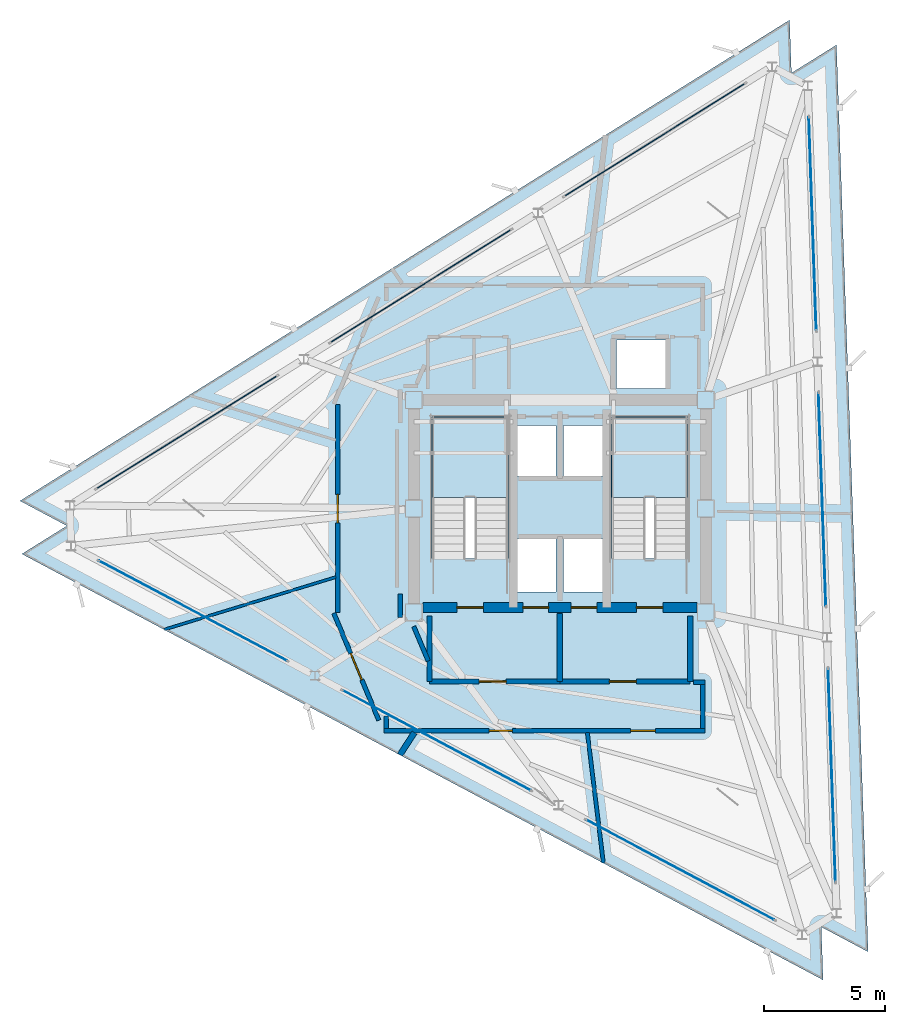
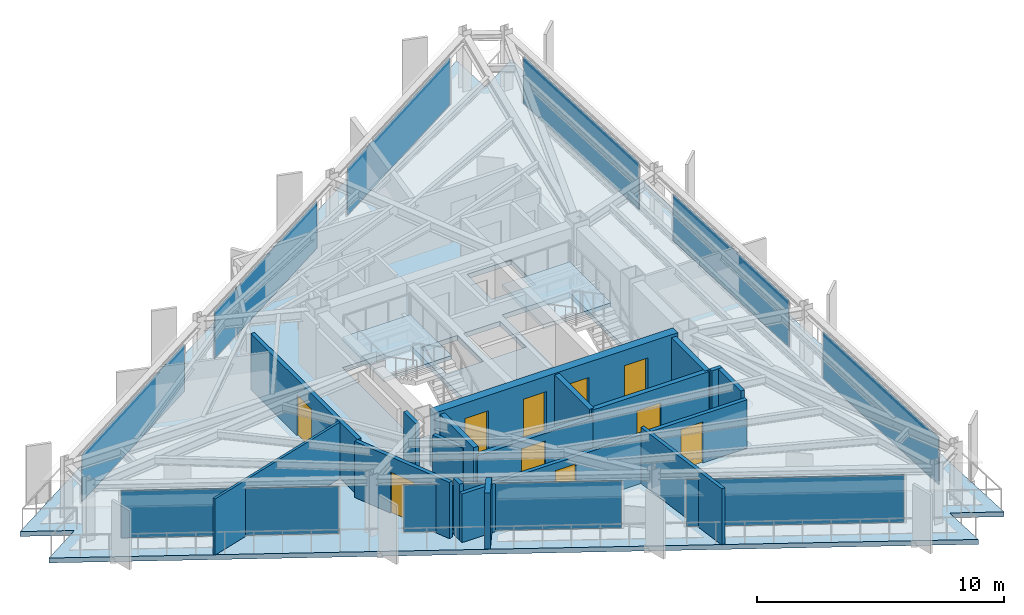
# One storey, part 8 of 13: 17 walls, 10 doors, 9 plates, 3 slabs, 10 openings, 11 elements without a shape of their own.
"""IFC4 building model written with IfcOpenShell, lengths in metres."""

import ifcopenshell
import ifcopenshell.guid

model = None  # the IFC model being written
_history = None  # IfcOwnerHistory: only IFC2X3 demands one
_inside = {}  # id of a spatial element -> (the spatial element, [elements in it])
_under = {}  # id of a project, library or spatial element -> (it, [spatial elements below it])
_declared = {}  # id of a project -> (the project, [libraries it declares])
_typed = {}  # id of a type object -> (the type object, [elements of that type])
_made_of = {}  # id of a material, layer set ... -> (it, [elements and type objects made of it])


def new_model(schema):
    """Start an empty IFC model of exactly this schema.

    Asked for "IFC4X3", IfcOpenShell would pick the latest addendum, in which some entities
    have other attributes; the version numbers below select the first issue.
    IFC2X3 requires an IfcOwnerHistory on every rooted entity: one is made here for all.
    """
    global model, _history
    if schema == "IFC4X3":
        model = ifcopenshell.file(schema_version=(4, 3, 0, 0))
    else:
        model = ifcopenshell.file(schema=schema)
    _inside.clear()
    _under.clear()
    _declared.clear()
    _typed.clear()
    _made_of.clear()
    _history = None
    if model.schema == "IFC2X3":
        org = make("IfcOrganization", Name="unknown")
        user = make(
            "IfcPersonAndOrganization",
            ThePerson=make("IfcPerson", FamilyName="unknown"),
            TheOrganization=org,
        )
        app = make(
            "IfcApplication",
            ApplicationDeveloper=org,
            Version="unknown",
            ApplicationFullName="unknown",
            ApplicationIdentifier="unknown",
        )
        _history = make(
            "IfcOwnerHistory",
            OwningUser=user,
            OwningApplication=app,
            ChangeAction="ADDED",
            CreationDate=0,
        )
    return model


def make(cls, **values):
    """One entity of the class cls with the attributes given. An attribute that is None is left unset."""
    return model.create_entity(
        cls, **{name: value for name, value in values.items() if value is not None}
    )


def rooted(cls, **values):
    """An entity with a GlobalId (a new one), such as an element, a storey or a relation."""
    return make(cls, GlobalId=ifcopenshell.guid.new(), OwnerHistory=_history, **values)


def si_unit(unit_type, name, prefix=None):
    """IfcSIUnit, for example si_unit("LENGTHUNIT", "METRE", prefix="MILLI")."""
    return make("IfcSIUnit", UnitType=unit_type, Prefix=prefix, Name=name)


def assignment(units):
    """IfcUnitAssignment: the units of a project."""
    return None if units is None else make("IfcUnitAssignment", Units=units)


def point(xyz):
    """IfcCartesianPoint."""
    return None if xyz is None else make("IfcCartesianPoint", Coordinates=xyz)


def direction(xyz):
    """IfcDirection."""
    return None if xyz is None else make("IfcDirection", DirectionRatios=xyz)


def frame(location, z_axis=None, x_axis=None):
    """IfcAxis2Placement3D, a coordinate frame: its origin and axes. An axis left out is left unset."""
    return make(
        "IfcAxis2Placement3D",
        Location=point(location),
        Axis=direction(z_axis),
        RefDirection=direction(x_axis),
    )


def frame_2d(location, x_axis=None):
    """IfcAxis2Placement2D, a coordinate frame in the plane: its origin and x axis."""
    return make(
        "IfcAxis2Placement2D", Location=point(location), RefDirection=direction(x_axis)
    )


def origin():
    """The frame at (0, 0, 0) with its axes left unset."""
    return frame((0.0, 0.0, 0.0))


def origin_2d():
    """The frame at (0, 0) in the plane with its x axis left unset."""
    return frame_2d((0.0, 0.0))


def place(relative_to, where):
    """IfcLocalPlacement: puts the frame where relative to a parent placement (None: the world)."""
    return make(
        "IfcLocalPlacement", PlacementRelTo=relative_to, RelativePlacement=where
    )


def context(
    kind, dimensions, precision=None, world=None, true_north=None, identifier=None
):
    """IfcGeometricRepresentationContext, for example the 3D "Model" context."""
    return make(
        "IfcGeometricRepresentationContext",
        ContextIdentifier=identifier,
        ContextType=kind,
        CoordinateSpaceDimension=dimensions,
        Precision=precision,
        WorldCoordinateSystem=world,
        TrueNorth=true_north,
    )


def subcontext(parent, identifier, kind, view, scale=None):
    """IfcGeometricRepresentationSubContext, for example "Body" below "Model"."""
    return make(
        "IfcGeometricRepresentationSubContext",
        ContextIdentifier=identifier,
        ContextType=kind,
        ParentContext=parent,
        TargetScale=scale,
        TargetView=view,
    )


def project(units=None, contexts=None):
    """IfcProject with its units and contexts."""
    return rooted(
        "IfcProject",
        Name="project",
        RepresentationContexts=contexts,
        UnitsInContext=assignment(units),
    )


def spatial(cls, under=None, at=None, **own):
    """A site, building, storey or space (cls), placed at a placement, below another one or the project."""
    s = rooted(cls, ObjectPlacement=at, **own)
    if under is not None:
        _under.setdefault(under.id(), (under, []))[1].append(s)
    return s


def polyline(points):
    """IfcPolyline through the points."""
    return make("IfcPolyline", Points=[point(p) for p in points])


def profile(cls, at=None, kind="AREA", **sizes):
    """A parametric profile (cls). Its sizes go by their IFC names, for example OverallWidth=200.0."""
    return make(cls, ProfileType=kind, Position=at, **sizes)


def rectangle(**sizes):
    """IfcRectangleProfileDef."""
    return profile("IfcRectangleProfileDef", **sizes)


def outline(outer, holes=None, kind="AREA"):
    """IfcArbitraryClosedProfileDef: a profile drawn as a closed curve; with holes, ...WithVoids."""
    if holes is None:
        return make("IfcArbitraryClosedProfileDef", ProfileType=kind, OuterCurve=outer)
    return make(
        "IfcArbitraryProfileDefWithVoids",
        ProfileType=kind,
        OuterCurve=outer,
        InnerCurves=holes,
    )


def extrude(swept, where, along, depth):
    """IfcExtrudedAreaSolid: the profile swept, set in the frame where, extruded along a direction by depth."""
    return make(
        "IfcExtrudedAreaSolid",
        SweptArea=swept,
        Position=where,
        ExtrudedDirection=direction(along),
        Depth=depth,
    )


def shape(context_of_items, identifier, shape_type, items):
    """IfcShapeRepresentation: the items that make up one representation, for example the "Body"."""
    return make(
        "IfcShapeRepresentation",
        ContextOfItems=context_of_items,
        RepresentationIdentifier=identifier,
        RepresentationType=shape_type,
        Items=items,
    )


def material(Name=None, Category=None):
    """IfcMaterial."""
    return make("IfcMaterial", Name=Name, Category=Category)


def layer(
    of_material, thickness, ventilated=None, Name=None, Category=None, Priority=None
):
    """IfcMaterialLayer: one layer of a wall or slab, of a material (None: an air gap)."""
    return make(
        "IfcMaterialLayer",
        Material=of_material,
        LayerThickness=thickness,
        IsVentilated=ventilated,
        Name=Name,
        Category=Category,
        Priority=Priority,
    )


def layer_set(layers, Name=None):
    """IfcMaterialLayerSet."""
    return make("IfcMaterialLayerSet", MaterialLayers=layers, LayerSetName=Name)


def made_of(thing, what):
    """Note that an element or type object is made of a material, layer set ...; save() writes the relation."""
    if what is not None:
        _made_of.setdefault(what.id(), (what, []))[1].append(thing)
    return thing


def type_object(cls, material=None, **own):
    """A type object (cls), such as IfcWallType, which elements share."""
    return made_of(rooted(cls, **own), material)


def element(
    cls,
    number,
    at=None,
    inside=None,
    cuts=None,
    type_object=None,
    material=None,
    context=None,
    identifier="Body",
    shape_type=None,
    held_by="IfcProductDefinitionShape",
    body=None,
    shapes=None,
    **own,
):
    """One element of the class cls, such as IfcWall. Its Tag is "e" and its number.

    at: its placement. inside: the storey or other place that contains it. cuts: it is an
    opening in that element (IfcRelVoidsElement). A single representation is given by context,
    identifier, shape_type and body (its items); several are given by shapes. held_by: the class
    of the entity that holds the representations. save() writes the other relations.
    """
    e = rooted(cls, Tag="e%d" % number, ObjectPlacement=at, **own)
    if body is not None:
        shapes = [shape(context, identifier, shape_type, body)]
    if shapes is not None:
        e.Representation = make(held_by, Representations=shapes)
    if inside is not None:
        _inside.setdefault(inside.id(), (inside, []))[1].append(e)
    if cuts is not None:
        rooted(
            "IfcRelVoidsElement", RelatingBuildingElement=cuts, RelatedOpeningElement=e
        )
    if type_object is not None:
        _typed.setdefault(type_object.id(), (type_object, []))[1].append(e)
    return made_of(e, material)


def fill(opening, filler):
    """IfcRelFillsElement: the door or window that sits in an opening."""
    return rooted(
        "IfcRelFillsElement",
        RelatingOpeningElement=opening,
        RelatedBuildingElement=filler,
    )


def aggregate(whole, parts):
    """IfcRelAggregates: a whole, such as a stair, and the parts it consists of."""
    return rooted("IfcRelAggregates", RelatingObject=whole, RelatedObjects=parts)


def save(model, path):
    """Write the relations noted so far, then the file.

    IfcRelAggregates (storeys below a building ...), IfcRelContainedInSpatialStructure (elements
    in a storey), IfcRelDefinesByType, IfcRelAssociatesMaterial and IfcRelDeclares: one each for
    every whole, place, type object, material and project.
    """
    for whole, parts in _under.values():
        aggregate(whole, parts)
    for where, things in _inside.values():
        rooted(
            "IfcRelContainedInSpatialStructure",
            RelatedElements=things,
            RelatingStructure=where,
        )
    for kind, things in _typed.values():
        rooted("IfcRelDefinesByType", RelatedObjects=things, RelatingType=kind)
    for what, things in _made_of.values():
        rooted("IfcRelAssociatesMaterial", RelatedObjects=things, RelatingMaterial=what)
    for by, libraries in _declared.values():
        rooted("IfcRelDeclares", RelatingContext=by, RelatedDefinitions=libraries)
    model.write(path)


model = new_model("IFC4")

# Units and contexts
model_context = context("Model", 3, precision=1e-05, world=origin(), true_north=direction((0.0, 1.0)))
body_context = subcontext(model_context, "Body", "Model", "MODEL_VIEW")
ifc_project = project(units=[si_unit("LENGTHUNIT", "METRE"), si_unit("AREAUNIT", "SQUARE_METRE"), si_unit("VOLUMEUNIT", "CUBIC_METRE"), si_unit("PLANEANGLEUNIT", "RADIAN"), si_unit("MASSUNIT", "GRAM", prefix="KILO")], contexts=[model_context])

# Site, building, storey
site_placement = place(None, origin())
site = spatial("IfcSite", under=ifc_project, at=site_placement, CompositionType="ELEMENT")
building_placement = place(site_placement, origin())
building = spatial("IfcBuilding", under=site, at=building_placement, Name="Rocaltana Carrier Exchange", CompositionType="ELEMENT")
storey_placement = place(building_placement, frame((0.0, 0.0, 208.800048828125)))
storey = spatial("IfcBuildingStorey", under=building, at=storey_placement, Name="L66", CompositionType="ELEMENT", Elevation=208.800048828125)

# Curtain wall, plate
ifc_material_1 = material(Name="Aluminium 6063-T6", Category="aluminium")
ifc_layer_1 = layer(ifc_material_1, 0.1201171875)
ifc_layer_set_1 = layer_set([ifc_layer_1], Name="Aluminium 6063-T6")
curtain_wall_type = type_object("IfcCurtainWallType", Name="High-Altitude Thermal Curtain Wall CW-05", PredefinedType="NOTDEFINED", material=ifc_layer_set_1)
curtain_wall_1_placement = place(storey_placement, origin())
curtain_wall_1 = element("IfcCurtainWall", 1, at=curtain_wall_1_placement, inside=storey, type_object=curtain_wall_type, Name="L66 CW-05 Run CW-L66-F1S1", PredefinedType="NOTDEFINED")
ifc_material_2 = material(Name="Tempered Laminated Glass", Category="glass")
ifc_layer_2 = layer(ifc_material_2, 0.035888671875)
ifc_layer_set_2 = layer_set([ifc_layer_2], Name="Tempered Laminated Glass")
plate_type = type_object("IfcPlateType", Name="CW-05 Stone-Insulated Vision Panel", PredefinedType="CURTAIN_PANEL", material=ifc_layer_set_2)
plate_1_placement = place(storey_placement, frame((11.266845703125, -11.046875, 0.06005859375), z_axis=(0.0, 0.0, 1.0), x_axis=(-0.034914127567, 0.999390315991, 0.0)))
plate_1 = element("IfcPlate", 2, at=plate_1_placement, type_object=plate_type, Name="CW-05 panel 1.1", PredefinedType="CURTAIN_PANEL", context=body_context, shape_type="SweptSolid", body=[
    extrude(rectangle(XDim=8.813232421875, YDim=0.035888671875, at=origin_2d()), origin(), (0.0, 0.0, 1.0), 2.327880859375),
])
aggregate(curtain_wall_1, [plate_1])

curtain_wall_2_placement = place(storey_placement, origin())
curtain_wall_2 = element("IfcCurtainWall", 3, at=curtain_wall_2_placement, inside=storey, type_object=curtain_wall_type, Name="L66 CW-05 Run CW-L66-F1S2", PredefinedType="NOTDEFINED")
plate_2_placement = place(storey_placement, frame((10.86767578125, 0.37939453125, 0.06005859375), z_axis=(0.0, 0.0, 1.0), x_axis=(-0.034902556738, 0.999390720156, 0.0)))
plate_2 = element("IfcPlate", 4, at=plate_2_placement, type_object=plate_type, Name="CW-05 panel 1.1", PredefinedType="CURTAIN_PANEL", context=body_context, shape_type="SweptSolid", body=[
    extrude(rectangle(XDim=8.8134765625, YDim=0.035888671875, at=origin_2d()), origin(), (0.0, 0.0, 1.0), 2.327880859375),
])
aggregate(curtain_wall_2, [plate_2])

curtain_wall_3_placement = place(storey_placement, origin())
curtain_wall_3 = element("IfcCurtainWall", 5, at=curtain_wall_3_placement, inside=storey, type_object=curtain_wall_type, Name="L66 CW-05 Run CW-L66-F1S3", PredefinedType="NOTDEFINED")
plate_3_placement = place(storey_placement, frame((10.46875, 11.805908203125, 0.06005859375), z_axis=(0.0, 0.0, 1.0), x_axis=(-0.034902556738, 0.999390720156, 0.0)))
plate_3 = element("IfcPlate", 6, at=plate_3_placement, type_object=plate_type, Name="CW-05 panel 1.1", PredefinedType="CURTAIN_PANEL", context=body_context, shape_type="SweptSolid", body=[
    extrude(rectangle(XDim=8.8134765625, YDim=0.035888671875, at=origin_2d()), origin(), (0.0, 0.0, 1.0), 2.327880859375),
])
aggregate(curtain_wall_3, [plate_3])

curtain_wall_4_placement = place(storey_placement, origin())
curtain_wall_4 = element("IfcCurtainWall", 7, at=curtain_wall_4_placement, inside=storey, type_object=curtain_wall_type, Name="L66 CW-05 Run CW-L66-F2S1", PredefinedType="NOTDEFINED")
plate_4_placement = place(storey_placement, frame((3.93359375, 15.28076171875, 0.06005859375), z_axis=(0.0, 0.0, 1.0), x_axis=(-0.848042322807, -0.529928503412, 0.0)))
plate_4 = element("IfcPlate", 8, at=plate_4_placement, type_object=plate_type, Name="CW-05 panel 1.1", PredefinedType="CURTAIN_PANEL", context=body_context, shape_type="SweptSolid", body=[
    extrude(rectangle(XDim=8.813232421875, YDim=0.035888671875, at=origin_2d()), origin(), (0.0, 0.0, 1.0), 2.327880859375),
])
aggregate(curtain_wall_4, [plate_4])

curtain_wall_5_placement = place(storey_placement, origin())
curtain_wall_5 = element("IfcCurtainWall", 9, at=curtain_wall_5_placement, inside=storey, type_object=curtain_wall_type, Name="L66 CW-05 Run CW-L66-F2S2", PredefinedType="NOTDEFINED")
plate_5_placement = place(storey_placement, frame((-5.762451171875, 9.221923828125, 0.06005859375), z_axis=(0.0, 0.0, 1.0), x_axis=(-0.848047353446, -0.529920452816, 0.0)))
plate_5 = element("IfcPlate", 10, at=plate_5_placement, type_object=plate_type, Name="CW-05 panel 1.1", PredefinedType="CURTAIN_PANEL", context=body_context, shape_type="SweptSolid", body=[
    extrude(rectangle(XDim=8.813232421875, YDim=0.035888671875, at=origin_2d()), origin(), (0.0, 0.0, 1.0), 2.327880859375),
])
aggregate(curtain_wall_5, [plate_5])

curtain_wall_6_placement = place(storey_placement, origin())
curtain_wall_6 = element("IfcCurtainWall", 11, at=curtain_wall_6_placement, inside=storey, type_object=curtain_wall_type, Name="L66 CW-05 Run CW-L66-F2S3", PredefinedType="NOTDEFINED")
plate_6_placement = place(storey_placement, frame((-15.45849609375, 3.163330078125, 0.06005859375), z_axis=(0.0, 0.0, 1.0), x_axis=(-0.848050496896, -0.529915422228, 0.0)))
plate_6 = element("IfcPlate", 12, at=plate_6_placement, type_object=plate_type, Name="CW-05 panel 1.1", PredefinedType="CURTAIN_PANEL", context=body_context, shape_type="SweptSolid", body=[
    extrude(rectangle(XDim=8.813232421875, YDim=0.035888671875, at=origin_2d()), origin(), (0.0, 0.0, 1.0), 2.327880859375),
])
aggregate(curtain_wall_6, [plate_6])

curtain_wall_7_placement = place(storey_placement, origin())
curtain_wall_7 = element("IfcCurtainWall", 13, at=curtain_wall_7_placement, inside=storey, type_object=curtain_wall_type, Name="L66 CW-05 Run CW-L66-F3S1", PredefinedType="NOTDEFINED")
plate_7_placement = place(storey_placement, frame((-15.2001953125, -4.23388671875, 0.06005859375), z_axis=(0.0, 0.0, 1.0), x_axis=(0.882941304732, -0.469483388841, 0.0)))
plate_7 = element("IfcPlate", 14, at=plate_7_placement, type_object=plate_type, Name="CW-05 panel 1.1", PredefinedType="CURTAIN_PANEL", context=body_context, shape_type="SweptSolid", body=[
    extrude(rectangle(XDim=8.8134765625, YDim=0.035888671875, at=origin_2d()), origin(), (0.0, 0.0, 1.0), 2.327880859375),
])
aggregate(curtain_wall_7, [plate_7])

curtain_wall_8_placement = place(storey_placement, origin())
curtain_wall_8 = element("IfcCurtainWall", 15, at=curtain_wall_8_placement, inside=storey, type_object=curtain_wall_type, Name="L66 CW-05 Run CW-L66-F3S2", PredefinedType="NOTDEFINED")
plate_8_placement = place(storey_placement, frame((-5.105224609375, -9.6015625, 0.06005859375), z_axis=(0.0, 0.0, 1.0), x_axis=(0.882943477624, -0.469479302335, 0.0)))
plate_8 = element("IfcPlate", 16, at=plate_8_placement, type_object=plate_type, Name="CW-05 panel 1.1", PredefinedType="CURTAIN_PANEL", context=body_context, shape_type="SweptSolid", body=[
    extrude(rectangle(XDim=8.813232421875, YDim=0.035888671875, at=origin_2d()), origin(), (0.0, 0.0, 1.0), 2.327880859375),
])
aggregate(curtain_wall_8, [plate_8])

curtain_wall_9_placement = place(storey_placement, origin())
curtain_wall_9 = element("IfcCurtainWall", 17, at=curtain_wall_9_placement, inside=storey, type_object=curtain_wall_type, Name="L66 CW-05 Run CW-L66-F3S3", PredefinedType="NOTDEFINED")
plate_9_placement = place(storey_placement, frame((4.98974609375, -14.968994140625, 0.06005859375), z_axis=(0.0, 0.0, 1.0), x_axis=(0.882945944879, -0.469474662173, 0.0)))
plate_9 = element("IfcPlate", 18, at=plate_9_placement, type_object=plate_type, Name="CW-05 panel 1.1", PredefinedType="CURTAIN_PANEL", context=body_context, shape_type="SweptSolid", body=[
    extrude(rectangle(XDim=8.8134765625, YDim=0.035888671875, at=origin_2d()), origin(), (0.0, 0.0, 1.0), 2.327880859375),
])
aggregate(curtain_wall_9, [plate_9])

# Slab
ifc_material_3 = material(Name="Concrete C50/60", Category="concrete")
ifc_layer_3 = layer(ifc_material_3, 0.239990234375)
ifc_layer_set_3 = layer_set([ifc_layer_3], Name="Concrete C50/60")
slab_type_1 = type_object("IfcSlabType", Name="High-Zone Tower Slab 240", PredefinedType="FLOOR", material=ifc_layer_set_3)
slab_1_placement = place(storey_placement, frame((0.0, 0.0, -0.239990234375)))
element("IfcSlab", 19, at=slab_1_placement, inside=storey, type_object=slab_type_1, Name="L66 Structural Floor Slab", PredefinedType="FLOOR", context=body_context, shape_type="SweptSolid", body=[
    extrude(outline(polyline([(10.907470703125, -19.53125), (10.83056640625, -17.33251953125), (12.773193359375, -18.365478515625), (11.4609375, 19.211669921875), (9.59521484375, 18.0458984375), (9.518310546875, 20.244384765625), (-22.3681640625, 0.319580078125), (-20.42578125, -0.71337890625), (-22.29150390625, -1.879150390625), (10.907470703125, -19.53125)]), holes=[polyline([(-5.300048828125, -2.06005859375), (-2.139892578125, -2.06005859375), (-2.139892578125, 3.800048828125), (-5.300048828125, 3.800048828125), (-5.300048828125, -2.06005859375)]), polyline([(2.139892578125, -2.06005859375), (5.300048828125, -2.06005859375), (5.300048828125, 3.800048828125), (2.139892578125, 3.800048828125), (2.139892578125, -2.06005859375)]), polyline([(-1.85009765625, -3.449951171875), (-0.14990234375, -3.449951171875), (-0.14990234375, -1.25), (-1.85009765625, -1.25), (-1.85009765625, -3.449951171875)]), polyline([(0.14990234375, -3.449951171875), (1.85009765625, -3.449951171875), (1.85009765625, -1.25), (0.14990234375, -1.25), (0.14990234375, -3.449951171875)]), polyline([(2.35009765625, 4.97998046875), (4.39990234375, 4.97998046875), (4.39990234375, 6.97998046875), (2.35009765625, 6.97998046875), (2.35009765625, 4.97998046875)]), polyline([(-1.85009765625, 1.35009765625), (-0.14990234375, 1.35009765625), (-0.14990234375, 3.449951171875), (-1.85009765625, 3.449951171875), (-1.85009765625, 1.35009765625)]), polyline([(0.14990234375, 1.35009765625), (1.85009765625, 1.35009765625), (1.85009765625, 3.449951171875), (0.14990234375, 3.449951171875), (0.14990234375, 1.35009765625)])]), origin(), (0.0, 0.0, 1.0), 0.239990234375),
])

# Stair, slab
ifc_material_4 = material(Name="Precast concrete C45/55", Category="concrete")
stair_type = type_object("IfcStairType", Name="Standard Dog-Leg Stair 160", PredefinedType="HALF_TURN_STAIR", material=ifc_material_4)
stair_1_placement = place(storey_placement, origin())
stair_1 = element("IfcStair", 20, at=stair_1_placement, inside=storey, type_object=stair_type, Name="L66 Core West Exit Stair ST-1", PredefinedType="HALF_TURN_STAIR")
ifc_material_5 = material(Name="Precast concrete C45/55", Category="concrete")
ifc_layer_4 = layer(ifc_material_5, 0.199951171875)
ifc_layer_set_4 = layer_set([ifc_layer_4], Name="Precast concrete C45/55")
slab_type_2 = type_object("IfcSlabType", Name="Precast Stair Half-Landing 200", PredefinedType="LANDING", material=ifc_layer_set_4)
slab_2_placement = place(storey_placement, frame((0.0, 0.0, 1.320068359375)))
slab_2 = element("IfcSlab", 21, at=slab_2_placement, type_object=slab_type_2, Name="ST-1 landing 1", PredefinedType="LANDING", context=body_context, shape_type="SweptSolid", body=[
    extrude(outline(polyline([(-2.139892578125, 0.4599609375), (-2.139892578125, 3.800048828125), (-5.300048828125, 3.800048828125), (-5.300048828125, 0.4599609375), (-2.139892578125, 0.4599609375)])), origin(), (0.0, 0.0, 1.0), 0.199951171875),
])
aggregate(stair_1, [slab_2])

stair_2_placement = place(storey_placement, origin())
stair_2 = element("IfcStair", 22, at=stair_2_placement, inside=storey, type_object=stair_type, Name="L66 Core East Exit Stair ST-2", PredefinedType="HALF_TURN_STAIR")
slab_3_placement = place(storey_placement, frame((0.0, 0.0, 1.320068359375)))
slab_3 = element("IfcSlab", 23, at=slab_3_placement, type_object=slab_type_2, Name="ST-2 landing 1", PredefinedType="LANDING", context=body_context, shape_type="SweptSolid", body=[
    extrude(outline(polyline([(5.300048828125, 0.4599609375), (5.300048828125, 3.800048828125), (2.139892578125, 3.800048828125), (2.139892578125, 0.4599609375), (5.300048828125, 0.4599609375)])), origin(), (0.0, 0.0, 1.0), 0.199951171875),
])
aggregate(stair_2, [slab_3])

# Wall
ifc_material_6 = material(Name="Double Acoustic Gypsum Partition", Category="gypsum")
ifc_layer_5 = layer(ifc_material_6, 0.159912109375)
ifc_layer_set_5 = layer_set([ifc_layer_5], Name="Double Acoustic Gypsum Partition")
wall_type_1 = type_object("IfcWallType", Name="Acoustic Studio Partition 160 EI60", PredefinedType="PARTITIONING", material=ifc_layer_set_5)
wall_1_placement = place(storey_placement, frame((1.139404296875, -9.280029296875, 0.0), z_axis=(0.0, 0.0, 1.0), x_axis=(0.121863374105, -0.992546884561, 0.0)))
element("IfcWall", 24, at=wall_1_placement, inside=storey, type_object=wall_type_1, Name="L66 Suite Divider Wall D3", PredefinedType="PARTITIONING", context=body_context, shape_type="SweptSolid", body=[
    extrude(rectangle(XDim=5.439208984375, YDim=0.159912109375, at=frame_2d((2.7197265625, 0.0))), origin(), (0.0, 0.0, 1.0), 2.77294921875),
])

# Wall, openings, doors
ifc_material_7 = material(Name="Concrete C50/60", Category="concrete")
ifc_layer_6 = layer(ifc_material_7, 0.39990234375)
ifc_layer_set_6 = layer_set([ifc_layer_6], Name="Concrete C50/60")
wall_type_2 = type_object("IfcWallType", Name="Core Internal Shear Wall 400", PredefinedType="SHEAR", material=ifc_layer_set_6)
wall_2_placement = place(storey_placement, frame((-5.675048828125, -4.10009765625, 0.0), z_axis=(0.0, 0.0, 1.0), x_axis=(1.0, 0.0, 0.0)))
wall_2 = element("IfcWall", 25, at=wall_2_placement, inside=storey, type_object=wall_type_2, Name="L66 Core Shear Wall CW-S", PredefinedType="SHEAR", context=body_context, shape_type="SweptSolid", body=[
    extrude(rectangle(XDim=11.35009765625, YDim=0.39990234375, at=frame_2d((5.675048828125, 0.0))), origin(), (0.0, 0.0, 1.0), 2.7978515625),
])
opening_1_placement = place(wall_2_placement, frame((1.405029296875, 0.0, 0.0)))
opening_1 = element("IfcOpeningElement", 26, at=opening_1_placement, cuts=wall_2, Name="Opening D-ST110", PredefinedType="OPENING", context=body_context, shape_type="SweptSolid", body=[
    extrude(rectangle(XDim=1.10009765625, YDim=2.0400390625, at=frame_2d((0.550048828125, 1.02001953125))), frame((0.0, 0.2099609375, 0.0), z_axis=(0.0, -1.0, 0.0), x_axis=(1.0, 0.0, 0.0)), (0.0, 0.0, 1.0), 0.419921875),
])
opening_2_placement = place(wall_2_placement, frame((8.844970703125, 0.0, 0.0)))
opening_2 = element("IfcOpeningElement", 27, at=opening_2_placement, cuts=wall_2, Name="Opening D-ST110", PredefinedType="OPENING", context=body_context, shape_type="SweptSolid", body=[
    extrude(rectangle(XDim=1.10009765625, YDim=2.0400390625, at=frame_2d((0.550048828125, 1.02001953125))), frame((0.0, 0.2099609375, 0.0), z_axis=(0.0, -1.0, 0.0), x_axis=(1.0, 0.0, 0.0)), (0.0, 0.0, 1.0), 0.419921875),
])
opening_3_placement = place(wall_2_placement, frame((4.14501953125, 0.0, 0.0)))
opening_3 = element("IfcOpeningElement", 28, at=opening_3_placement, cuts=wall_2, Name="Opening LD-110", PredefinedType="OPENING", context=body_context, shape_type="SweptSolid", body=[
    extrude(rectangle(XDim=1.06005859375, YDim=2.0400390625, at=frame_2d((0.530029296875, 1.02001953125))), frame((0.0, 0.2099609375, 0.0), z_axis=(0.0, -1.0, 0.0), x_axis=(1.0, 0.0, 0.0)), (0.0, 0.0, 1.0), 0.419921875),
])
opening_4_placement = place(wall_2_placement, frame((6.14501953125, 0.0, 0.0)))
opening_4 = element("IfcOpeningElement", 29, at=opening_4_placement, cuts=wall_2, Name="Opening LD-110", PredefinedType="OPENING", context=body_context, shape_type="SweptSolid", body=[
    extrude(rectangle(XDim=1.06005859375, YDim=2.0400390625, at=frame_2d((0.530029296875, 1.02001953125))), frame((0.0, 0.2099609375, 0.0), z_axis=(0.0, -1.0, 0.0), x_axis=(1.0, 0.0, 0.0)), (0.0, 0.0, 1.0), 0.419921875),
])
ifc_material_8 = material(Name="Hollow Metal Fire Door Assembly", Category="steel")
door_type_1 = type_object("IfcDoorType", Name="Exit Stair Fire Door 1100x2040 FD90S", OperationType="NOTDEFINED", PredefinedType="DOOR", material=ifc_material_8)
door_1_placement = place(opening_1_placement, origin())
door_1 = element("IfcDoor", 30, at=door_1_placement, inside=storey, type_object=door_type_1, Name="L66 Exit Stair ST1 Fire Door", OperationType="SINGLE_SWING_RIGHT", OverallHeight=2.0400390625, OverallWidth=1.10009765625, PredefinedType="DOOR", context=body_context, shape_type="SweptSolid", body=[
    extrude(rectangle(XDim=1.10009765625, YDim=2.0400390625, at=frame_2d((0.550048828125, 1.02001953125))), frame((0.0, 0.02490234375, 0.0), z_axis=(0.0, -1.0, 0.0), x_axis=(1.0, 0.0, 0.0)), (0.0, 0.0, 1.0), 0.050048828125),
])
fill(opening_1, door_1)
door_2_placement = place(opening_2_placement, origin())
door_2 = element("IfcDoor", 31, at=door_2_placement, inside=storey, type_object=door_type_1, Name="L66 Exit Stair ST2 Fire Door", OperationType="SINGLE_SWING_LEFT", OverallHeight=2.0400390625, OverallWidth=1.10009765625, PredefinedType="DOOR", context=body_context, shape_type="SweptSolid", body=[
    extrude(rectangle(XDim=1.10009765625, YDim=2.0400390625, at=frame_2d((0.550048828125, 1.02001953125))), frame((0.0, 0.02490234375, 0.0), z_axis=(0.0, -1.0, 0.0), x_axis=(1.0, 0.0, 0.0)), (0.0, 0.0, 1.0), 0.050048828125),
])
fill(opening_2, door_2)
ifc_material_9 = material(Name="Brushed Stainless Sliding Door Leaf", Category="steel")
door_type_2 = type_object("IfcDoorType", Name="Lift Landing Sliding Door 1060x2040", OperationType="NOTDEFINED", PredefinedType="DOOR", material=ifc_material_9)
door_3_placement = place(opening_3_placement, origin())
door_3 = element("IfcDoor", 32, at=door_3_placement, inside=storey, type_object=door_type_2, Name="L66 Firefighting Lift FFL1 Landing Door", OperationType="SLIDING_TO_LEFT", OverallHeight=2.0400390625, OverallWidth=1.06005859375, PredefinedType="DOOR", context=body_context, shape_type="SweptSolid", body=[
    extrude(rectangle(XDim=1.06005859375, YDim=2.0400390625, at=frame_2d((0.530029296875, 1.02001953125))), frame((0.0, 0.02490234375, 0.0), z_axis=(0.0, -1.0, 0.0), x_axis=(1.0, 0.0, 0.0)), (0.0, 0.0, 1.0), 0.050048828125),
])
fill(opening_3, door_3)
door_4_placement = place(opening_4_placement, origin())
door_4 = element("IfcDoor", 33, at=door_4_placement, inside=storey, type_object=door_type_2, Name="L66 Firefighting Lift FFL2 Landing Door", OperationType="SLIDING_TO_RIGHT", OverallHeight=2.0400390625, OverallWidth=1.06005859375, PredefinedType="DOOR", context=body_context, shape_type="SweptSolid", body=[
    extrude(rectangle(XDim=1.06005859375, YDim=2.0400390625, at=frame_2d((0.530029296875, 1.02001953125))), frame((0.0, 0.02490234375, 0.0), z_axis=(0.0, -1.0, 0.0), x_axis=(1.0, 0.0, 0.0)), (0.0, 0.0, 1.0), 0.050048828125),
])
fill(opening_4, door_4)

# Wall, opening, door
ifc_material_10 = material(Name="Gypsum & Steel Stud Partition", Category="steel")
ifc_layer_7 = layer(ifc_material_10, 0.179931640625)
ifc_layer_set_7 = layer_set([ifc_layer_7], Name="Gypsum & Steel Stud Partition")
wall_type_3 = type_object("IfcWallType", Name="Corridor Fire Partition 180 EI60", PredefinedType="PARTITIONING", material=ifc_layer_set_7)
wall_3_placement = place(storey_placement, frame((-7.501220703125, -8.768798828125, 0.0), z_axis=(0.0, 0.0, 1.0), x_axis=(-0.387573945081, 0.921838617706, 0.0)))
wall_3 = element("IfcWall", 34, at=wall_3_placement, inside=storey, type_object=wall_type_3, Name="L66 Corridor Partition 1", PredefinedType="PARTITIONING", context=body_context, shape_type="SweptSolid", body=[
    extrude(rectangle(XDim=4.813232421875, YDim=0.179931640625, at=frame_2d((2.40673828125, 0.0))), origin(), (0.0, 0.0, 1.0), 2.77294921875),
])
opening_5_placement = place(wall_3_placement, frame((1.816650390625, 0.0, 0.0)))
opening_5 = element("IfcOpeningElement", 35, at=opening_5_placement, cuts=wall_3, Name="Opening D-SU120", PredefinedType="OPENING", context=body_context, shape_type="SweptSolid", body=[
    extrude(rectangle(XDim=1.179931640625, YDim=2.02001953125, at=frame_2d((0.58984375, 1.010009765625))), frame((0.0, 0.099853515625, 0.0), z_axis=(0.0, -1.0, 0.0), x_axis=(1.0, 0.0, 0.0)), (0.0, 0.0, 1.0), 0.199951171875),
])
ifc_material_11 = material(Name="Engineered Hardwood Timber", Category="wood")
door_type_3 = type_object("IfcDoorType", Name="Suite Double Entrance Door 1180x2020", OperationType="NOTDEFINED", PredefinedType="DOOR", material=ifc_material_11)
door_5_placement = place(opening_5_placement, origin())
door_5 = element("IfcDoor", 36, at=door_5_placement, inside=storey, type_object=door_type_3, Name="L66 Carrier Peering Suite Entrance Door", OperationType="SINGLE_SWING_RIGHT", OverallHeight=2.02001953125, OverallWidth=1.179931640625, PredefinedType="DOOR", context=body_context, shape_type="SweptSolid", body=[
    extrude(rectangle(XDim=1.179931640625, YDim=2.02001953125, at=frame_2d((0.58984375, 1.010009765625))), frame((0.0, 0.02490234375, 0.0), z_axis=(0.0, -1.0, 0.0), x_axis=(1.0, 0.0, 0.0)), (0.0, 0.0, 1.0), 0.050048828125),
])
fill(opening_5, door_5)

wall_4_placement = place(storey_placement, frame((-9.199951171875, -4.303466796875, 0.0), z_axis=(0.0, 0.0, 1.0), x_axis=(0.0, 1.0, 0.0)))
wall_4 = element("IfcWall", 37, at=wall_4_placement, inside=storey, type_object=wall_type_3, Name="L66 Corridor Partition 2", PredefinedType="PARTITIONING", context=body_context, shape_type="SweptSolid", body=[
    extrude(rectangle(XDim=8.60693359375, YDim=0.179931640625, at=frame_2d((4.303466796875, 0.0))), origin(), (0.0, 0.0, 1.0), 2.77294921875),
])
opening_6_placement = place(wall_4_placement, frame((3.71337890625, 0.0, 0.0)))
opening_6 = element("IfcOpeningElement", 38, at=opening_6_placement, cuts=wall_4, Name="Opening D-SU120", PredefinedType="OPENING", context=body_context, shape_type="SweptSolid", body=[
    extrude(rectangle(XDim=1.179931640625, YDim=2.02001953125, at=frame_2d((0.58984375, 1.010009765625))), frame((0.0, 0.099853515625, 0.0), z_axis=(0.0, -1.0, 0.0), x_axis=(1.0, 0.0, 0.0)), (0.0, 0.0, 1.0), 0.199951171875),
])
door_6_placement = place(opening_6_placement, origin())
door_6 = element("IfcDoor", 39, at=door_6_placement, inside=storey, type_object=door_type_3, Name="L66 Carrier Peering Suite Entrance Door", OperationType="SINGLE_SWING_LEFT", OverallHeight=2.02001953125, OverallWidth=1.179931640625, PredefinedType="DOOR", context=body_context, shape_type="SweptSolid", body=[
    extrude(rectangle(XDim=1.179931640625, YDim=2.02001953125, at=frame_2d((0.58984375, 1.010009765625))), frame((0.0, 0.02490234375, 0.0), z_axis=(0.0, -1.0, 0.0), x_axis=(1.0, 0.0, 0.0)), (0.0, 0.0, 1.0), 0.050048828125),
])
fill(opening_6, door_6)

# Walls
wall_5_placement = place(storey_placement, frame((-6.610107421875, -3.541259765625, 0.0), z_axis=(0.0, 0.0, 1.0), x_axis=(0.0, -1.0, 0.0)))
element("IfcWall", 40, at=wall_5_placement, inside=storey, type_object=wall_type_3, Name="L66 Corridor Partition 12", PredefinedType="PARTITIONING", context=body_context, shape_type="SweptSolid", body=[
    extrude(rectangle(XDim=0.978759765625, YDim=0.179931640625, at=frame_2d((0.4892578125, 0.0))), origin(), (0.0, 0.0, 1.0), 2.77294921875),
])
wall_6_placement = place(storey_placement, frame((-6.0546875, -4.881591796875, 0.0), z_axis=(0.0, 0.0, 1.0), x_axis=(0.387579540458, -0.921836265189, 0.0)))
element("IfcWall", 41, at=wall_6_placement, inside=storey, type_object=wall_type_3, Name="L66 Corridor Partition 13", PredefinedType="PARTITIONING", context=body_context, shape_type="SweptSolid", body=[
    extrude(rectangle(XDim=1.5546875, YDim=0.179931640625, at=frame_2d((0.77734375, 0.0))), origin(), (0.0, 0.0, 1.0), 2.2529296875),
])
wall_7_placement = place(storey_placement, frame((5.530029296875, -7.199951171875, 0.0), z_axis=(0.0, 0.0, 1.0), x_axis=(1.0, 0.0, 0.0)))
element("IfcWall", 42, at=wall_7_placement, inside=storey, type_object=wall_type_3, Name="L66 Corridor Partition 14", PredefinedType="PARTITIONING", context=body_context, shape_type="SweptSolid", body=[
    extrude(rectangle(XDim=0.47998046875, YDim=0.179931640625, at=frame_2d((0.239990234375, 0.0))), origin(), (0.0, 0.0, 1.0), 2.77294921875),
])
wall_8_placement = place(storey_placement, frame((5.919921875, -7.2900390625, 0.0), z_axis=(0.0, 0.0, 1.0), x_axis=(0.0, -1.0, 0.0)))
element("IfcWall", 43, at=wall_8_placement, inside=storey, type_object=wall_type_3, Name="L66 Corridor Partition 15", PredefinedType="PARTITIONING", context=body_context, shape_type="SweptSolid", body=[
    extrude(rectangle(XDim=1.820068359375, YDim=0.179931640625, at=frame_2d((0.91015625, 0.0))), origin(), (0.0, 0.0, 1.0), 2.77294921875),
])

# Wall, openings, doors
wall_9_placement = place(storey_placement, frame((6.010009765625, -9.199951171875, 0.0), z_axis=(0.0, 0.0, 1.0), x_axis=(-1.0, 0.0, 0.0)))
wall_9 = element("IfcWall", 44, at=wall_9_placement, inside=storey, type_object=wall_type_3, Name="L66 Corridor Partition 16", PredefinedType="PARTITIONING", context=body_context, shape_type="SweptSolid", body=[
    extrude(rectangle(XDim=13.300048828125, YDim=0.179931640625, at=frame_2d((6.64990234375, 0.0))), origin(), (0.0, 0.0, 1.0), 2.39501953125),
])
opening_7_placement = place(wall_9_placement, frame((7.978515625, 0.0, 0.0)))
opening_7 = element("IfcOpeningElement", 45, at=opening_7_placement, cuts=wall_9, Name="Opening D-RM098", PredefinedType="OPENING", context=body_context, shape_type="SweptSolid", body=[
    extrude(rectangle(XDim=0.9599609375, YDim=2.02001953125, at=frame_2d((0.47998046875, 1.010009765625))), frame((0.0, 0.099853515625, 0.0), z_axis=(0.0, -1.0, 0.0), x_axis=(1.0, 0.0, 0.0)), (0.0, 0.0, 1.0), 0.199951171875),
])
opening_8_placement = place(wall_9_placement, frame((2.05517578125, 0.0, 0.0)))
opening_8 = element("IfcOpeningElement", 46, at=opening_8_placement, cuts=wall_9, Name="Opening D-LB104", PredefinedType="OPENING", context=body_context, shape_type="SweptSolid", body=[
    extrude(rectangle(XDim=1.02001953125, YDim=2.02001953125, at=frame_2d((0.510009765625, 1.010009765625))), frame((0.0, 0.099853515625, 0.0), z_axis=(0.0, -1.0, 0.0), x_axis=(1.0, 0.0, 0.0)), (0.0, 0.0, 1.0), 0.199951171875),
])
ifc_material_12 = material(Name="Powder-Coated Aluminium 6063-T6", Category="aluminium")
door_type_4 = type_object("IfcDoorType", Name="Laboratory Acoustic Door 1020x2020", OperationType="NOTDEFINED", PredefinedType="DOOR", material=ifc_material_12)
door_7_placement = place(opening_8_placement, origin())
door_7 = element("IfcDoor", 47, at=door_7_placement, inside=storey, type_object=door_type_4, Name="L66 Optical Switching Laboratory Entrance Door", OperationType="SINGLE_SWING_RIGHT", OverallHeight=2.02001953125, OverallWidth=1.02001953125, PredefinedType="DOOR", context=body_context, shape_type="SweptSolid", body=[
    extrude(rectangle(XDim=1.02001953125, YDim=2.02001953125, at=frame_2d((0.510009765625, 1.010009765625))), frame((0.0, 0.02490234375, 0.0), z_axis=(0.0, -1.0, 0.0), x_axis=(1.0, 0.0, 0.0)), (0.0, 0.0, 1.0), 0.050048828125),
])
fill(opening_8, door_7)
ifc_material_13 = material(Name="Engineered Hardwood Timber", Category="wood")
door_type_5 = type_object("IfcDoorType", Name="Workspace Single Door 960x2020", OperationType="NOTDEFINED", PredefinedType="DOOR", material=ifc_material_13)
door_8_placement = place(opening_7_placement, origin())
door_8 = element("IfcDoor", 48, at=door_8_placement, inside=storey, type_object=door_type_5, Name="L66 Cloud Architecture Office Entrance Door", OperationType="SINGLE_SWING_LEFT", OverallHeight=2.02001953125, OverallWidth=0.9599609375, PredefinedType="DOOR", context=body_context, shape_type="SweptSolid", body=[
    extrude(rectangle(XDim=0.9599609375, YDim=2.02001953125, at=frame_2d((0.47998046875, 1.010009765625))), frame((0.0, 0.02490234375, 0.0), z_axis=(0.0, -1.0, 0.0), x_axis=(1.0, 0.0, 0.0)), (0.0, 0.0, 1.0), 0.050048828125),
])
fill(opening_7, door_8)

# Walls
wall_10_placement = place(storey_placement, frame((-7.199951171875, -9.110107421875, 0.0), z_axis=(0.0, 0.0, 1.0), x_axis=(0.0, 1.0, 0.0)))
element("IfcWall", 49, at=wall_10_placement, inside=storey, type_object=wall_type_3, Name="L66 Corridor Partition 17", PredefinedType="PARTITIONING", context=body_context, shape_type="SweptSolid", body=[
    extrude(rectangle(XDim=0.509521484375, YDim=0.179931640625, at=frame_2d((0.2548828125, 0.0))), origin(), (0.0, 0.0, 1.0), 2.77294921875),
])
ifc_material_14 = material(Name="Aluminium 6063-T6 & Acoustic Glass", Category="aluminium")
ifc_layer_8 = layer(ifc_material_14, 0.114990234375)
ifc_layer_set_8 = layer_set([ifc_layer_8], Name="Aluminium 6063-T6 & Acoustic Glass")
wall_type_4 = type_object("IfcWallType", Name="Demountable Glazed Lab Partition 115", PredefinedType="MOVABLE", material=ifc_layer_set_8)
wall_11_placement = place(storey_placement, frame((-9.280029296875, -2.837158203125, 0.0), z_axis=(0.0, 0.0, 1.0), x_axis=(-0.956303337488, -0.292376344307, 0.0)))
element("IfcWall", 50, at=wall_11_placement, inside=storey, type_object=wall_type_4, Name="L66 Suite Divider Wall D1", PredefinedType="MOVABLE", context=body_context, shape_type="SweptSolid", body=[
    extrude(rectangle(XDim=7.428466796875, YDim=0.114990234375, at=frame_2d((3.71435546875, 0.0))), origin(), (0.0, 0.0, 1.0), 2.77294921875),
])
ifc_material_15 = material(Name="Autoclaved Aerated Concrete C30/37", Category="concrete")
ifc_layer_9 = layer(ifc_material_15, 0.219970703125)
ifc_layer_set_9 = layer_set([ifc_layer_9], Name="Autoclaved Aerated Concrete C30/37")
wall_type_5 = type_object("IfcWallType", Name="Firefighting Lobby Wall 220 EI120", PredefinedType="PARTITIONING", material=ifc_layer_set_9)
for number, where, z_axis, x_axis, name in (
    (51, (-5.39990234375, -7.159912109375, 0.0), (0.0, 0.0, 1.0), (0.0, 1.0, 0.0), "L66 FFL Lobby 1 West Wall"),
    (52, (5.39990234375, -7.159912109375, 0.0), (0.0, 0.0, 1.0), (0.0, 1.0, 0.0), "L66 FFL Lobby 2 East Wall"),
):
    element("IfcWall", number, at=place(storey_placement, frame(where, z_axis=z_axis, x_axis=x_axis)), inside=storey, type_object=wall_type_5, Name=name, PredefinedType="PARTITIONING", context=body_context, shape_type="SweptSolid", body=[
        extrude(rectangle(XDim=2.7099609375, YDim=0.219970703125, at=frame_2d((1.35498046875, 0.0))), origin(), (0.0, 0.0, 1.0), 2.77294921875),
    ])
wall_12_placement = place(storey_placement, frame((0.0, -7.159912109375, 0.0), z_axis=(0.0, 0.0, 1.0), x_axis=(0.0, 1.0, 0.0)))
element("IfcWall", 53, at=wall_12_placement, inside=storey, type_object=wall_type_5, Name="L66 FFL Lobby Centre Wall", PredefinedType="PARTITIONING", context=body_context, shape_type="SweptSolid", body=[
    extrude(rectangle(XDim=2.809814453125, YDim=0.219970703125, at=frame_2d((1.40478515625, 0.0))), origin(), (0.0, 0.0, 1.0), 2.77294921875),
])

# Wall, opening, door
wall_13_placement = place(storey_placement, frame((-5.39990234375, -7.159912109375, 0.0), z_axis=(0.0, 0.0, 1.0), x_axis=(1.0, 0.0, 0.0)))
wall_13 = element("IfcWall", 54, at=wall_13_placement, inside=storey, type_object=wall_type_5, Name="L66 FFL Lobby 1 South Wall", PredefinedType="PARTITIONING", context=body_context, shape_type="SweptSolid", body=[
    extrude(rectangle(XDim=5.39990234375, YDim=0.219970703125, at=frame_2d((2.699951171875, 0.0))), origin(), (0.0, 0.0, 1.0), 2.39501953125),
])
opening_9_placement = place(wall_13_placement, frame((2.050048828125, 0.0, 0.0)))
opening_9 = element("IfcOpeningElement", 55, at=opening_9_placement, cuts=wall_13, Name="Opening D-FF115", PredefinedType="OPENING", context=body_context, shape_type="SweptSolid", body=[
    extrude(rectangle(XDim=1.1201171875, YDim=2.02001953125, at=frame_2d((0.56005859375, 1.010009765625))), frame((0.0, 0.119873046875, 0.0), z_axis=(0.0, -1.0, 0.0), x_axis=(1.0, 0.0, 0.0)), (0.0, 0.0, 1.0), 0.239990234375),
])
ifc_material_16 = material(Name="Hollow Metal Fire Door Assembly", Category="steel")
door_type_6 = type_object("IfcDoorType", Name="Firefighting Lobby Door 1120x2020 FD60S", OperationType="NOTDEFINED", PredefinedType="DOOR", material=ifc_material_16)
door_9_placement = place(opening_9_placement, origin())
door_9 = element("IfcDoor", 56, at=door_9_placement, inside=storey, type_object=door_type_6, Name="L66 Firefighting Lift Lobby 1 Door", OperationType="SINGLE_SWING_RIGHT", OverallHeight=2.02001953125, OverallWidth=1.1201171875, PredefinedType="DOOR", context=body_context, shape_type="SweptSolid", body=[
    extrude(rectangle(XDim=1.1201171875, YDim=2.02001953125, at=frame_2d((0.56005859375, 1.010009765625))), frame((0.0, 0.02490234375, 0.0), z_axis=(0.0, -1.0, 0.0), x_axis=(1.0, 0.0, 0.0)), (0.0, 0.0, 1.0), 0.050048828125),
])
fill(opening_9, door_9)

wall_14_placement = place(storey_placement, frame((0.0, -7.159912109375, 0.0), z_axis=(0.0, 0.0, 1.0), x_axis=(1.0, 0.0, 0.0)))
wall_14 = element("IfcWall", 57, at=wall_14_placement, inside=storey, type_object=wall_type_5, Name="L66 FFL Lobby 2 South Wall", PredefinedType="PARTITIONING", context=body_context, shape_type="SweptSolid", body=[
    extrude(rectangle(XDim=5.39990234375, YDim=0.219970703125, at=frame_2d((2.699951171875, 0.0))), origin(), (0.0, 0.0, 1.0), 2.77294921875),
])
opening_10_placement = place(wall_14_placement, frame((2.050048828125, 0.0, 0.0)))
opening_10 = element("IfcOpeningElement", 58, at=opening_10_placement, cuts=wall_14, Name="Opening D-FF115", PredefinedType="OPENING", context=body_context, shape_type="SweptSolid", body=[
    extrude(rectangle(XDim=1.1201171875, YDim=2.02001953125, at=frame_2d((0.56005859375, 1.010009765625))), frame((0.0, 0.119873046875, 0.0), z_axis=(0.0, -1.0, 0.0), x_axis=(1.0, 0.0, 0.0)), (0.0, 0.0, 1.0), 0.239990234375),
])
door_10_placement = place(opening_10_placement, origin())
door_10 = element("IfcDoor", 59, at=door_10_placement, inside=storey, type_object=door_type_6, Name="L66 Firefighting Lift Lobby 2 Door", OperationType="SINGLE_SWING_LEFT", OverallHeight=2.02001953125, OverallWidth=1.1201171875, PredefinedType="DOOR", context=body_context, shape_type="SweptSolid", body=[
    extrude(rectangle(XDim=1.1201171875, YDim=2.02001953125, at=frame_2d((0.56005859375, 1.010009765625))), frame((0.0, 0.02490234375, 0.0), z_axis=(0.0, -1.0, 0.0), x_axis=(1.0, 0.0, 0.0)), (0.0, 0.0, 1.0), 0.050048828125),
])
fill(opening_10, door_10)

# Wall
ifc_material_17 = material(Name="Acoustic Calcium Silicate Partition", Category="gypsum")
ifc_layer_10 = layer(ifc_material_17, 0.239990234375)
ifc_layer_set_10 = layer_set([ifc_layer_10], Name="Acoustic Calcium Silicate Partition")
wall_type_6 = type_object("IfcWallType", Name="Heavy Lab Partition 240 EI90", PredefinedType="PARTITIONING", material=ifc_layer_set_10)
wall_15_placement = place(storey_placement, frame((-6.026611328125, -9.280029296875, 0.0), z_axis=(0.0, 0.0, 1.0), x_axis=(-0.544526030547, -0.838743943082, 0.0)))
element("IfcWall", 60, at=wall_15_placement, inside=storey, type_object=wall_type_6, Name="L66 Suite Divider Wall D2", PredefinedType="PARTITIONING", context=body_context, shape_type="SweptSolid", body=[
    extrude(rectangle(XDim=1.09521484375, YDim=0.239990234375, at=frame_2d((0.547607421875, 0.0))), origin(), (0.0, 0.0, 1.0), 2.77294921875),
])

save(model, "model.ifc")
